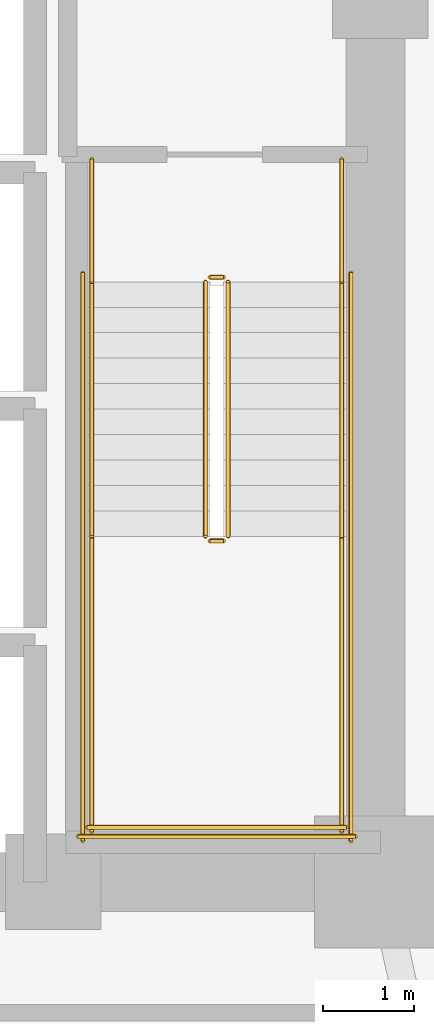
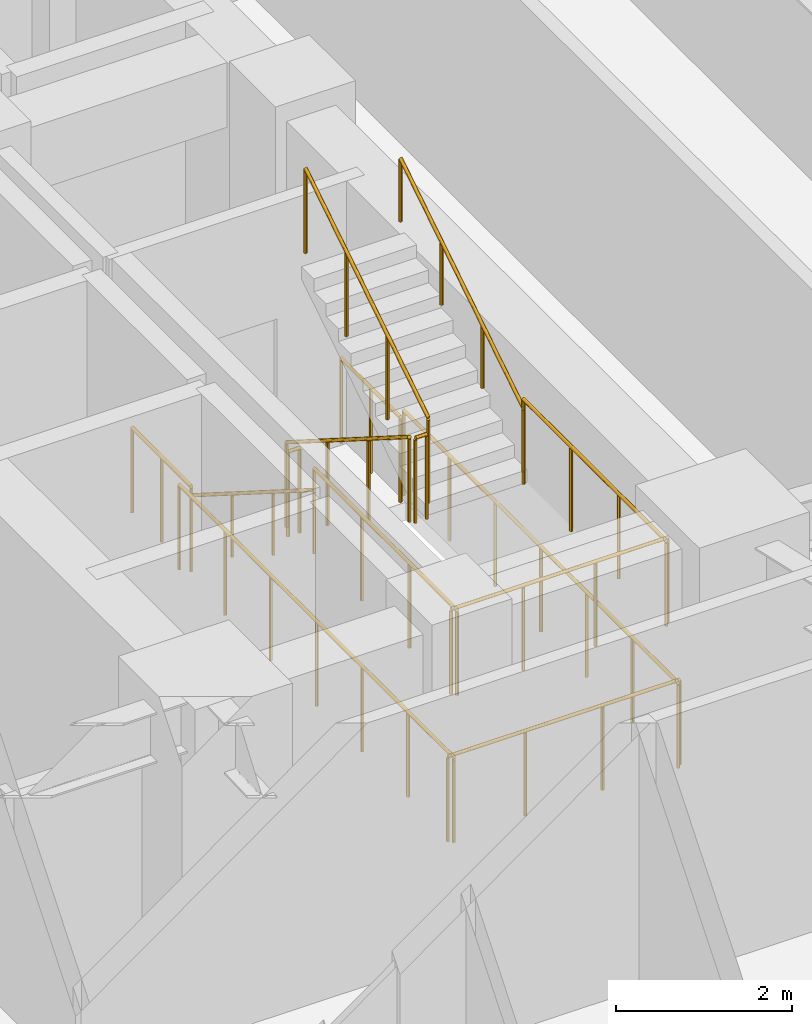
# One storey, part 11 of 11: 14 railings.
"""IFC4 building model written with IfcOpenShell, lengths in metres."""

from ifc_helpers import new_model, si_unit, direction, frame, origin, origin_2d, place, context, subcontext, project, spatial, circle, extrude, material, type_object, element, save


model = new_model("IFC4")

# Units and contexts
model_context = context("Model", 3, precision=1e-05, world=origin(), true_north=direction((0.0, 1.0)))
body_context = subcontext(model_context, "Body", "Model", "MODEL_VIEW")
ifc_project = project(units=[si_unit("LENGTHUNIT", "METRE"), si_unit("AREAUNIT", "SQUARE_METRE"), si_unit("VOLUMEUNIT", "CUBIC_METRE"), si_unit("PLANEANGLEUNIT", "RADIAN"), si_unit("MASSUNIT", "GRAM", prefix="KILO")], contexts=[model_context])

# Site, building, storey
site_placement = place(None, origin())
site = spatial("IfcSite", under=ifc_project, at=site_placement, CompositionType="ELEMENT")
building_placement = place(site_placement, origin())
building = spatial("IfcBuilding", under=site, at=building_placement, Name="Voryun Gate Residences", CompositionType="ELEMENT")
storey_placement = place(building_placement, frame((0.0, 0.0, 57.199951171875)))
storey = spatial("IfcBuildingStorey", under=building, at=storey_placement, Name="L13", CompositionType="ELEMENT", Elevation=57.199951171875)

# Railings
ifc_material_1 = material(Name="Painted steel", Category="steel")
railing_type_1 = type_object("IfcRailingType", Name="RAIL_STAIR_GUARD_1200", PredefinedType="GUARDRAIL", material=ifc_material_1)
railing_1_placement = place(storey_placement, frame((17.27490234375, -0.800048828125, 0.17724609375)))
element("IfcRailing", 1, at=railing_1_placement, inside=storey, type_object=railing_type_1, Name="L13 ST-E1 stair guard 1", PredefinedType="GUARDRAIL", context=body_context, shape_type="SweptSolid", body=[
    extrude(circle(Radius=0.02392578125, at=origin_2d()), frame((0.0, 0.0, 1.17578125), z_axis=(0.0, -0.844908973607, 0.534910110503), x_axis=(1.0, 0.0, 0.0)), (0.0, 0.0, 1.0), 3.31396484375),
    extrude(circle(Radius=0.02099609375, at=origin_2d()), origin(), (0.0, 0.0, 1.0), 1.15185546875),
    extrude(circle(Radius=0.02099609375, at=origin_2d()), frame((0.0, -0.933349609375, 0.5908203125)), (0.0, 0.0, 1.0), 1.15185546875),
    extrude(circle(Radius=0.02099609375, at=origin_2d()), frame((0.0, -1.86669921875, 1.181884765625)), (0.0, 0.0, 1.0), 1.15185546875),
    extrude(circle(Radius=0.02099609375, at=origin_2d()), frame((0.0, -2.800048828125, 1.772705078125)), (0.0, 0.0, 1.0), 1.15185546875),
])
railing_2_placement = place(storey_placement, frame((17.324951171875, -3.64990234375, 1.949951171875)))
element("IfcRailing", 2, at=railing_2_placement, inside=storey, type_object=railing_type_1, Name="L13 ST-E1 stair guard 2", PredefinedType="GUARDRAIL", context=body_context, shape_type="SweptSolid", body=[
    extrude(circle(Radius=0.02392578125, at=origin_2d()), frame((0.0, 0.0, 1.17578125), z_axis=(1.0, 0.0, 0.0), x_axis=(0.0, 1.0, 0.0)), (0.0, 0.0, 1.0), 0.150146484375),
    extrude(circle(Radius=0.02099609375, at=origin_2d()), origin(), (0.0, 0.0, 1.0), 1.15185546875),
    extrude(circle(Radius=0.02099609375, at=origin_2d()), frame((0.150146484375, 0.0, 0.0)), (0.0, 0.0, 1.0), 1.15185546875),
])
for number, where, name in (
    (3, (16.02490234375, -3.60009765625, 1.949951171875), "L13 ST-E1 stair guard 3"),
    (4, (18.77490234375, -3.60009765625, 1.949951171875), "L13 ST-E1 stair guard 4"),
):
    element("IfcRailing", number, at=place(storey_placement, frame(where)), inside=storey, type_object=railing_type_1, Name=name, PredefinedType="GUARDRAIL", context=body_context, shape_type="SweptSolid", body=[
        extrude(circle(Radius=0.02392578125, at=origin_2d()), frame((0.0, 0.0, 1.17578125), z_axis=(0.0, -1.0, 0.0), x_axis=(1.0, 0.0, 0.0)), (0.0, 0.0, 1.0), 3.25),
        extrude(circle(Radius=0.02099609375, at=origin_2d()), origin(), (0.0, 0.0, 1.0), 1.15185546875),
        extrude(circle(Radius=0.02099609375, at=origin_2d()), frame((0.0, -1.083251953125, 0.0)), (0.0, 0.0, 1.0), 1.15185546875),
        extrude(circle(Radius=0.02099609375, at=origin_2d()), frame((0.0, -2.166748046875, 0.0)), (0.0, 0.0, 1.0), 1.15185546875),
        extrude(circle(Radius=0.02099609375, at=origin_2d()), frame((0.0, -3.25, 0.0)), (0.0, 0.0, 1.0), 1.15185546875),
    ])
railing_3_placement = place(storey_placement, frame((15.97509765625, -6.800048828125, 1.949951171875)))
element("IfcRailing", 5, at=railing_3_placement, inside=storey, type_object=railing_type_1, Name="L13 ST-E1 stair guard 5", PredefinedType="GUARDRAIL", context=body_context, shape_type="SweptSolid", body=[
    extrude(circle(Radius=0.02392578125, at=origin_2d()), frame((0.0, 0.0, 1.17578125), z_axis=(1.0, 0.0, 0.0), x_axis=(0.0, 1.0, 0.0)), (0.0, 0.0, 1.0), 2.849853515625),
    extrude(circle(Radius=0.02099609375, at=origin_2d()), origin(), (0.0, 0.0, 1.0), 1.15185546875),
    extrude(circle(Radius=0.02099609375, at=origin_2d()), frame((0.949951171875, 0.0, 0.0)), (0.0, 0.0, 1.0), 1.15185546875),
    extrude(circle(Radius=0.02099609375, at=origin_2d()), frame((1.89990234375, 0.0, 0.0)), (0.0, 0.0, 1.0), 1.15185546875),
    extrude(circle(Radius=0.02099609375, at=origin_2d()), frame((2.849853515625, 0.0, 0.0)), (0.0, 0.0, 1.0), 1.15185546875),
])
railing_4_placement = place(storey_placement, frame((17.52490234375, -3.60009765625, 2.12744140625)))
element("IfcRailing", 6, at=railing_4_placement, inside=storey, type_object=railing_type_1, Name="L13 ST-E1 stair guard 6", PredefinedType="GUARDRAIL", context=body_context, shape_type="SweptSolid", body=[
    extrude(circle(Radius=0.02392578125, at=origin_2d()), frame((0.0, 0.0, 1.17578125), z_axis=(0.0, 0.844908973607, 0.534910110503), x_axis=(-1.0, 0.0, 0.0)), (0.0, 0.0, 1.0), 3.31396484375),
    extrude(circle(Radius=0.02099609375, at=origin_2d()), origin(), (0.0, 0.0, 1.0), 1.15185546875),
    extrude(circle(Radius=0.02099609375, at=origin_2d()), frame((0.0, 0.933349609375, 0.5908203125)), (0.0, 0.0, 1.0), 1.15185546875),
    extrude(circle(Radius=0.02099609375, at=origin_2d()), frame((0.0, 1.86669921875, 1.181884765625)), (0.0, 0.0, 1.0), 1.15185546875),
    extrude(circle(Radius=0.02099609375, at=origin_2d()), frame((0.0, 2.800048828125, 1.772705078125)), (0.0, 0.0, 1.0), 1.15185546875),
])
railing_5_placement = place(storey_placement, frame((17.324951171875, -0.75, 0.0)))
element("IfcRailing", 7, at=railing_5_placement, inside=storey, type_object=railing_type_1, Name="L13 ST-E1 stair guard 7", PredefinedType="GUARDRAIL", context=body_context, shape_type="SweptSolid", body=[
    extrude(circle(Radius=0.02392578125, at=origin_2d()), frame((0.0, 0.0, 1.17578125), z_axis=(1.0, 0.0, 0.0), x_axis=(0.0, 1.0, 0.0)), (0.0, 0.0, 1.0), 0.150146484375),
    extrude(circle(Radius=0.02099609375, at=origin_2d()), origin(), (0.0, 0.0, 1.0), 1.15185546875),
    extrude(circle(Radius=0.02099609375, at=origin_2d()), frame((0.150146484375, 0.0, 0.0)), (0.0, 0.0, 1.0), 1.15185546875),
])
for number, where, name in (
    (8, (16.02490234375, 0.550048828125, 0.0), "L13 ST-E1 stair guard 8"),
    (9, (18.77490234375, 0.550048828125, 0.0), "L13 ST-E1 stair guard 9"),
):
    element("IfcRailing", number, at=place(storey_placement, frame(where)), inside=storey, type_object=railing_type_1, Name=name, PredefinedType="GUARDRAIL", context=body_context, shape_type="SweptSolid", body=[
        extrude(circle(Radius=0.02392578125, at=origin_2d()), frame((0.0, 0.0, 1.17578125), z_axis=(0.0, -1.0, 0.0), x_axis=(1.0, 0.0, 0.0)), (0.0, 0.0, 1.0), 1.35009765625),
        extrude(circle(Radius=0.02099609375, at=origin_2d()), origin(), (0.0, 0.0, 1.0), 1.15185546875),
        extrude(circle(Radius=0.02099609375, at=origin_2d()), frame((0.0, -0.675048828125, 0.0)), (0.0, 0.0, 1.0), 1.15185546875),
        extrude(circle(Radius=0.02099609375, at=origin_2d()), frame((0.0, -1.35009765625, 0.0)), (0.0, 0.0, 1.0), 1.15185546875),
    ])
for number, where, name in (
    (10, (15.925048828125, -0.699951171875, 0.0), "L13 ST-E1 stair guard 10"),
    (11, (18.875, -0.699951171875, 0.0), "L13 ST-E1 stair guard 11"),
):
    element("IfcRailing", number, at=place(storey_placement, frame(where)), inside=storey, type_object=railing_type_1, Name=name, PredefinedType="GUARDRAIL", context=body_context, shape_type="SweptSolid", body=[
        extrude(circle(Radius=0.02392578125, at=origin_2d()), frame((0.0, 0.0, 1.17578125), z_axis=(0.0, -1.0, 0.0), x_axis=(1.0, 0.0, 0.0)), (0.0, 0.0, 1.0), 6.25),
        extrude(circle(Radius=0.02099609375, at=origin_2d()), origin(), (0.0, 0.0, 1.0), 1.15185546875),
        extrude(circle(Radius=0.02099609375, at=origin_2d()), frame((0.0, -1.041748046875, 0.0)), (0.0, 0.0, 1.0), 1.15185546875),
        extrude(circle(Radius=0.02099609375, at=origin_2d()), frame((0.0, -2.083251953125, 0.0)), (0.0, 0.0, 1.0), 1.15185546875),
        extrude(circle(Radius=0.02099609375, at=origin_2d()), frame((0.0, -3.125, 0.0)), (0.0, 0.0, 1.0), 1.15185546875),
        extrude(circle(Radius=0.02099609375, at=origin_2d()), frame((0.0, -4.166748046875, 0.0)), (0.0, 0.0, 1.0), 1.15185546875),
        extrude(circle(Radius=0.02099609375, at=origin_2d()), frame((0.0, -5.208251953125, 0.0)), (0.0, 0.0, 1.0), 1.15185546875),
        extrude(circle(Radius=0.02099609375, at=origin_2d()), frame((0.0, -6.25, 0.0)), (0.0, 0.0, 1.0), 1.15185546875),
    ])
railing_6_placement = place(storey_placement, frame((15.875, -6.89990234375, 0.0)))
element("IfcRailing", 12, at=railing_6_placement, inside=storey, type_object=railing_type_1, Name="L13 ST-E1 stair guard 12", PredefinedType="GUARDRAIL", context=body_context, shape_type="SweptSolid", body=[
    extrude(circle(Radius=0.02392578125, at=origin_2d()), frame((0.0, 0.0, 1.17578125), z_axis=(1.0, 0.0, 0.0), x_axis=(0.0, 1.0, 0.0)), (0.0, 0.0, 1.0), 3.050048828125),
    extrude(circle(Radius=0.02099609375, at=origin_2d()), origin(), (0.0, 0.0, 1.0), 1.15185546875),
    extrude(circle(Radius=0.02099609375, at=origin_2d()), frame((1.0166015625, 0.0, 0.0)), (0.0, 0.0, 1.0), 1.15185546875),
    extrude(circle(Radius=0.02099609375, at=origin_2d()), frame((2.033447265625, 0.0, 0.0)), (0.0, 0.0, 1.0), 1.15185546875),
    extrude(circle(Radius=0.02099609375, at=origin_2d()), frame((3.050048828125, 0.0, 0.0)), (0.0, 0.0, 1.0), 1.15185546875),
])
ifc_material_2 = material(Name="Painted steel", Category="steel")
railing_type_2 = type_object("IfcRailingType", Name="RAIL_STAIR_HANDRAIL_900", PredefinedType="HANDRAIL", material=ifc_material_2)
railing_7_placement = place(storey_placement, frame((16.02490234375, -0.800048828125, 0.17724609375)))
element("IfcRailing", 13, at=railing_7_placement, inside=storey, type_object=railing_type_2, Name="L13 ST-E1 stair handrail 1", PredefinedType="HANDRAIL", context=body_context, shape_type="SweptSolid", body=[
    extrude(circle(Radius=0.02392578125, at=origin_2d()), frame((0.0, 0.0, 0.8759765625), z_axis=(0.0, -0.844908973607, 0.534910110503), x_axis=(1.0, 0.0, 0.0)), (0.0, 0.0, 1.0), 3.31396484375),
    extrude(circle(Radius=0.02099609375, at=origin_2d()), origin(), (0.0, 0.0, 1.0), 0.851806640625),
    extrude(circle(Radius=0.02099609375, at=origin_2d()), frame((0.0, -0.933349609375, 0.5908203125)), (0.0, 0.0, 1.0), 0.851806640625),
    extrude(circle(Radius=0.02099609375, at=origin_2d()), frame((0.0, -1.86669921875, 1.181884765625)), (0.0, 0.0, 1.0), 0.851806640625),
    extrude(circle(Radius=0.02099609375, at=origin_2d()), frame((0.0, -2.800048828125, 1.772705078125)), (0.0, 0.0, 1.0), 0.851806640625),
])
railing_8_placement = place(storey_placement, frame((18.77490234375, -3.60009765625, 2.12744140625)))
element("IfcRailing", 14, at=railing_8_placement, inside=storey, type_object=railing_type_2, Name="L13 ST-E1 stair handrail 2", PredefinedType="HANDRAIL", context=body_context, shape_type="SweptSolid", body=[
    extrude(circle(Radius=0.02392578125, at=origin_2d()), frame((0.0, 0.0, 0.8759765625), z_axis=(0.0, 0.844908973607, 0.534910110503), x_axis=(-1.0, 0.0, 0.0)), (0.0, 0.0, 1.0), 3.31396484375),
    extrude(circle(Radius=0.02099609375, at=origin_2d()), origin(), (0.0, 0.0, 1.0), 0.851806640625),
    extrude(circle(Radius=0.02099609375, at=origin_2d()), frame((0.0, 0.933349609375, 0.5908203125)), (0.0, 0.0, 1.0), 0.851806640625),
    extrude(circle(Radius=0.02099609375, at=origin_2d()), frame((0.0, 1.86669921875, 1.181884765625)), (0.0, 0.0, 1.0), 0.851806640625),
    extrude(circle(Radius=0.02099609375, at=origin_2d()), frame((0.0, 2.800048828125, 1.772705078125)), (0.0, 0.0, 1.0), 0.851806640625),
])

save(model, "model.ifc")
